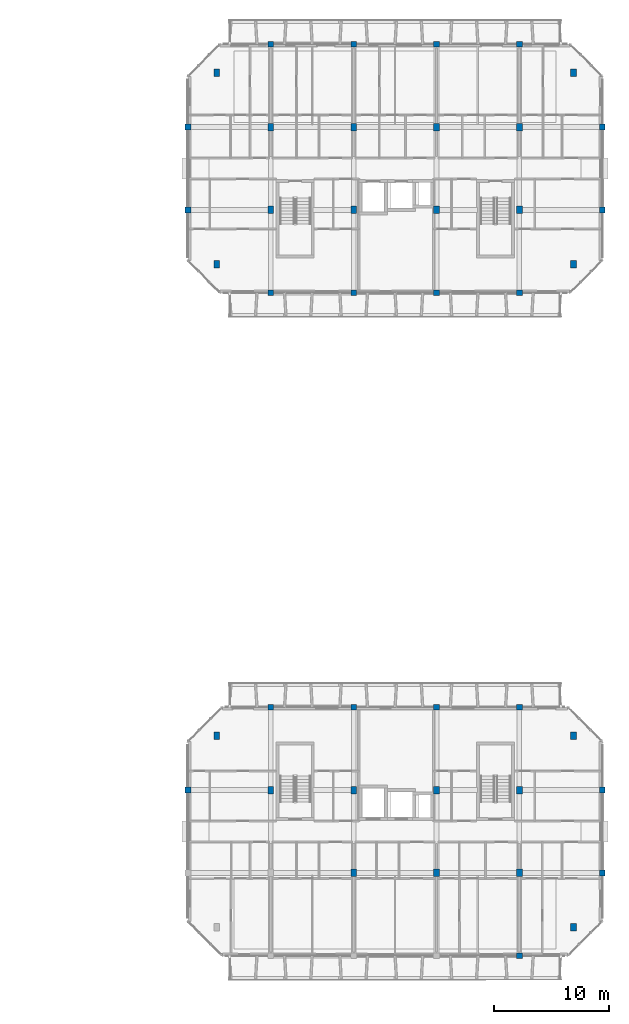
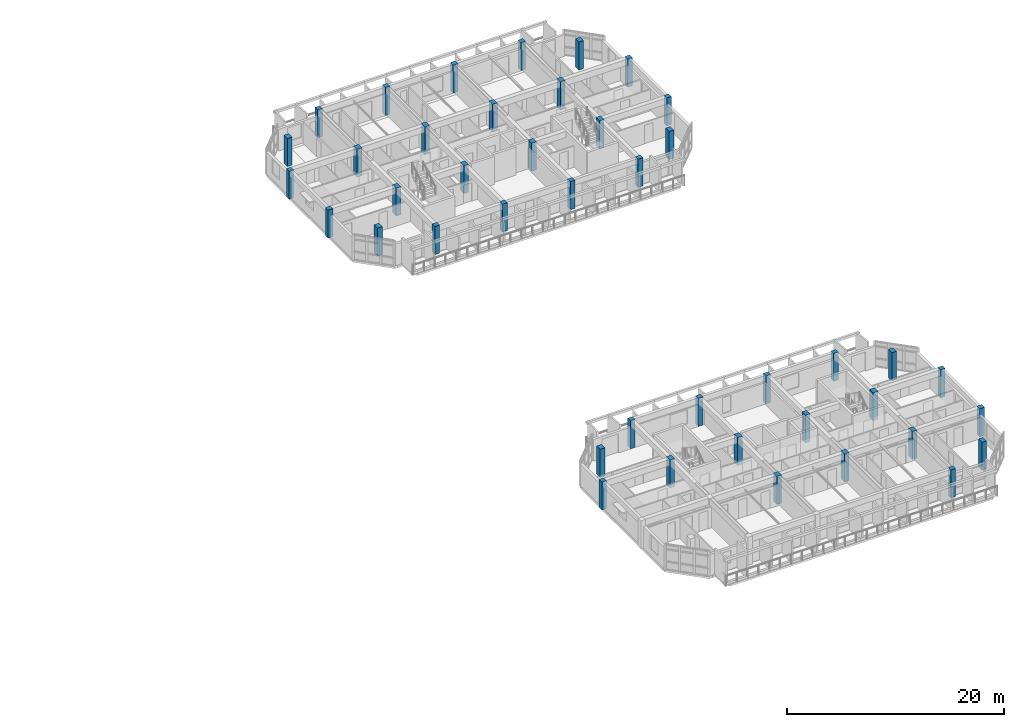
# One storey, part 2 of 46: 42 columns.
"""IFC4 building model written with IfcOpenShell, lengths in metres."""

import ifcopenshell
import ifcopenshell.guid

model = None  # the IFC model being written
_history = None  # IfcOwnerHistory: only IFC2X3 demands one
_inside = {}  # id of a spatial element -> (the spatial element, [elements in it])
_under = {}  # id of a project, library or spatial element -> (it, [spatial elements below it])
_declared = {}  # id of a project -> (the project, [libraries it declares])
_typed = {}  # id of a type object -> (the type object, [elements of that type])
_made_of = {}  # id of a material, layer set ... -> (it, [elements and type objects made of it])


def new_model(schema):
    """Start an empty IFC model of exactly this schema.

    Asked for "IFC4X3", IfcOpenShell would pick the latest addendum, in which some entities
    have other attributes; the version numbers below select the first issue.
    IFC2X3 requires an IfcOwnerHistory on every rooted entity: one is made here for all.
    """
    global model, _history
    if schema == "IFC4X3":
        model = ifcopenshell.file(schema_version=(4, 3, 0, 0))
    else:
        model = ifcopenshell.file(schema=schema)
    _inside.clear()
    _under.clear()
    _declared.clear()
    _typed.clear()
    _made_of.clear()
    _history = None
    if model.schema == "IFC2X3":
        org = make("IfcOrganization", Name="unknown")
        user = make(
            "IfcPersonAndOrganization",
            ThePerson=make("IfcPerson", FamilyName="unknown"),
            TheOrganization=org,
        )
        app = make(
            "IfcApplication",
            ApplicationDeveloper=org,
            Version="unknown",
            ApplicationFullName="unknown",
            ApplicationIdentifier="unknown",
        )
        _history = make(
            "IfcOwnerHistory",
            OwningUser=user,
            OwningApplication=app,
            ChangeAction="ADDED",
            CreationDate=0,
        )
    return model


def make(cls, **values):
    """One entity of the class cls with the attributes given. An attribute that is None is left unset."""
    return model.create_entity(
        cls, **{name: value for name, value in values.items() if value is not None}
    )


def rooted(cls, **values):
    """An entity with a GlobalId (a new one), such as an element, a storey or a relation."""
    return make(cls, GlobalId=ifcopenshell.guid.new(), OwnerHistory=_history, **values)


def si_unit(unit_type, name, prefix=None):
    """IfcSIUnit, for example si_unit("LENGTHUNIT", "METRE", prefix="MILLI")."""
    return make("IfcSIUnit", UnitType=unit_type, Prefix=prefix, Name=name)


def assignment(units):
    """IfcUnitAssignment: the units of a project."""
    return None if units is None else make("IfcUnitAssignment", Units=units)


def point(xyz):
    """IfcCartesianPoint."""
    return None if xyz is None else make("IfcCartesianPoint", Coordinates=xyz)


def direction(xyz):
    """IfcDirection."""
    return None if xyz is None else make("IfcDirection", DirectionRatios=xyz)


def frame(location, z_axis=None, x_axis=None):
    """IfcAxis2Placement3D, a coordinate frame: its origin and axes. An axis left out is left unset."""
    return make(
        "IfcAxis2Placement3D",
        Location=point(location),
        Axis=direction(z_axis),
        RefDirection=direction(x_axis),
    )


def frame_2d(location, x_axis=None):
    """IfcAxis2Placement2D, a coordinate frame in the plane: its origin and x axis."""
    return make(
        "IfcAxis2Placement2D", Location=point(location), RefDirection=direction(x_axis)
    )


def origin():
    """The frame at (0, 0, 0) with its axes left unset."""
    return frame((0.0, 0.0, 0.0))


def origin_2d():
    """The frame at (0, 0) in the plane with its x axis left unset."""
    return frame_2d((0.0, 0.0))


def place(relative_to, where):
    """IfcLocalPlacement: puts the frame where relative to a parent placement (None: the world)."""
    return make(
        "IfcLocalPlacement", PlacementRelTo=relative_to, RelativePlacement=where
    )


def context(
    kind, dimensions, precision=None, world=None, true_north=None, identifier=None
):
    """IfcGeometricRepresentationContext, for example the 3D "Model" context."""
    return make(
        "IfcGeometricRepresentationContext",
        ContextIdentifier=identifier,
        ContextType=kind,
        CoordinateSpaceDimension=dimensions,
        Precision=precision,
        WorldCoordinateSystem=world,
        TrueNorth=true_north,
    )


def subcontext(parent, identifier, kind, view, scale=None):
    """IfcGeometricRepresentationSubContext, for example "Body" below "Model"."""
    return make(
        "IfcGeometricRepresentationSubContext",
        ContextIdentifier=identifier,
        ContextType=kind,
        ParentContext=parent,
        TargetScale=scale,
        TargetView=view,
    )


def project(units=None, contexts=None):
    """IfcProject with its units and contexts."""
    return rooted(
        "IfcProject",
        Name="project",
        RepresentationContexts=contexts,
        UnitsInContext=assignment(units),
    )


def spatial(cls, under=None, at=None, **own):
    """A site, building, storey or space (cls), placed at a placement, below another one or the project."""
    s = rooted(cls, ObjectPlacement=at, **own)
    if under is not None:
        _under.setdefault(under.id(), (under, []))[1].append(s)
    return s


def profile(cls, at=None, kind="AREA", **sizes):
    """A parametric profile (cls). Its sizes go by their IFC names, for example OverallWidth=200.0."""
    return make(cls, ProfileType=kind, Position=at, **sizes)


def rectangle(**sizes):
    """IfcRectangleProfileDef."""
    return profile("IfcRectangleProfileDef", **sizes)


def extrude(swept, where, along, depth):
    """IfcExtrudedAreaSolid: the profile swept, set in the frame where, extruded along a direction by depth."""
    return make(
        "IfcExtrudedAreaSolid",
        SweptArea=swept,
        Position=where,
        ExtrudedDirection=direction(along),
        Depth=depth,
    )


def shape(context_of_items, identifier, shape_type, items):
    """IfcShapeRepresentation: the items that make up one representation, for example the "Body"."""
    return make(
        "IfcShapeRepresentation",
        ContextOfItems=context_of_items,
        RepresentationIdentifier=identifier,
        RepresentationType=shape_type,
        Items=items,
    )


def material(Name=None, Category=None):
    """IfcMaterial."""
    return make("IfcMaterial", Name=Name, Category=Category)


def material_profile(
    of_material, cross_section, Name=None, Category=None, Priority=None
):
    """IfcMaterialProfile: a cross section and its material."""
    return make(
        "IfcMaterialProfile",
        Name=Name,
        Material=of_material,
        Profile=cross_section,
        Priority=Priority,
        Category=Category,
    )


def profile_set(profiles, Name=None, composite=None):
    """IfcMaterialProfileSet."""
    return make(
        "IfcMaterialProfileSet",
        Name=Name,
        MaterialProfiles=profiles,
        CompositeProfile=composite,
    )


def made_of(thing, what):
    """Note that an element or type object is made of a material, layer set ...; save() writes the relation."""
    if what is not None:
        _made_of.setdefault(what.id(), (what, []))[1].append(thing)
    return thing


def type_object(cls, material=None, **own):
    """A type object (cls), such as IfcWallType, which elements share."""
    return made_of(rooted(cls, **own), material)


def element(
    cls,
    number,
    at=None,
    inside=None,
    cuts=None,
    type_object=None,
    material=None,
    context=None,
    identifier="Body",
    shape_type=None,
    held_by="IfcProductDefinitionShape",
    body=None,
    shapes=None,
    **own,
):
    """One element of the class cls, such as IfcWall. Its Tag is "e" and its number.

    at: its placement. inside: the storey or other place that contains it. cuts: it is an
    opening in that element (IfcRelVoidsElement). A single representation is given by context,
    identifier, shape_type and body (its items); several are given by shapes. held_by: the class
    of the entity that holds the representations. save() writes the other relations.
    """
    e = rooted(cls, Tag="e%d" % number, ObjectPlacement=at, **own)
    if body is not None:
        shapes = [shape(context, identifier, shape_type, body)]
    if shapes is not None:
        e.Representation = make(held_by, Representations=shapes)
    if inside is not None:
        _inside.setdefault(inside.id(), (inside, []))[1].append(e)
    if cuts is not None:
        rooted(
            "IfcRelVoidsElement", RelatingBuildingElement=cuts, RelatedOpeningElement=e
        )
    if type_object is not None:
        _typed.setdefault(type_object.id(), (type_object, []))[1].append(e)
    return made_of(e, material)


def aggregate(whole, parts):
    """IfcRelAggregates: a whole, such as a stair, and the parts it consists of."""
    return rooted("IfcRelAggregates", RelatingObject=whole, RelatedObjects=parts)


def save(model, path):
    """Write the relations noted so far, then the file.

    IfcRelAggregates (storeys below a building ...), IfcRelContainedInSpatialStructure (elements
    in a storey), IfcRelDefinesByType, IfcRelAssociatesMaterial and IfcRelDeclares: one each for
    every whole, place, type object, material and project.
    """
    for whole, parts in _under.values():
        aggregate(whole, parts)
    for where, things in _inside.values():
        rooted(
            "IfcRelContainedInSpatialStructure",
            RelatedElements=things,
            RelatingStructure=where,
        )
    for kind, things in _typed.values():
        rooted("IfcRelDefinesByType", RelatedObjects=things, RelatingType=kind)
    for what, things in _made_of.values():
        rooted("IfcRelAssociatesMaterial", RelatedObjects=things, RelatingMaterial=what)
    for by, libraries in _declared.values():
        rooted("IfcRelDeclares", RelatingContext=by, RelatedDefinitions=libraries)
    model.write(path)


model = new_model("IFC4")

# Units and contexts
model_context = context("Model", 3, precision=1e-05, world=origin(), true_north=direction((0.0, 1.0)))
body_context = subcontext(model_context, "Body", "Model", "MODEL_VIEW")
ifc_project = project(units=[si_unit("LENGTHUNIT", "METRE"), si_unit("AREAUNIT", "SQUARE_METRE"), si_unit("VOLUMEUNIT", "CUBIC_METRE"), si_unit("PLANEANGLEUNIT", "RADIAN"), si_unit("MASSUNIT", "GRAM", prefix="KILO")], contexts=[model_context])

# Site, building, storey
site_placement = place(None, origin())
site = spatial("IfcSite", under=ifc_project, at=site_placement, CompositionType="ELEMENT")
building_placement = place(site_placement, origin())
building = spatial("IfcBuilding", under=site, at=building_placement, Name="Ochrevale Crest", CompositionType="ELEMENT")
storey_placement = place(building_placement, frame((0.0, 0.0, 24.449951171875)))
storey = spatial("IfcBuildingStorey", under=building, at=storey_placement, Name="L07", CompositionType="ELEMENT", Elevation=24.449951171875)

# Columns
ifc_material = material(Name="Precast concrete C50/60", Category="concrete")
ifc_material_profile_1 = material_profile(ifc_material, rectangle(XDim=0.5, YDim=0.5, at=origin_2d()), Name="RC 500x500")
ifc_profile_set_1 = profile_set([ifc_material_profile_1], Name="Precast concrete C50/60")
column_type_1 = type_object("IfcColumnType", Name="COL-RC500x500", PredefinedType="COLUMN", material=ifc_profile_set_1)
for number, where, z_axis, x_axis, name in (
    (1, (129.60009765625, 28.800048828125, 0.0), (0.0, 0.0, 1.0), (1.0, 0.0, 0.0), "Block C L07 column (129.6,28.8)"),
    (2, (136.800048828125, 36.0, 0.0), (0.0, 0.0, 1.0), (1.0, 0.0, 0.0), "Block C L07 column (136.8,36.0)"),
    (3, (144.0, 36.0, 0.0), (0.0, 0.0, 1.0), (1.0, 0.0, 0.0), "Block C L07 column (144.0,36.0)"),
    (4, (151.199951171875, 36.0, 0.0), (0.0, 0.0, 1.0), (1.0, 0.0, 0.0), "Block C L07 column (151.2,36.0)"),
    (5, (158.39990234375, 14.39990234375, 0.0), (0.0, 0.0, 1.0), (1.0, 0.0, 0.0), "Block C L07 column (158.4,14.4)"),
    (6, (158.39990234375, 36.0, 0.0), (0.0, 0.0, 1.0), (1.0, 0.0, 0.0), "Block C L07 column (158.4,36.0)"),
    (7, (165.60009765625, 21.60009765625, 0.0), (0.0, 0.0, 1.0), (1.0, 0.0, 0.0), "Block C L07 column (165.6,21.6)"),
    (8, (165.60009765625, 28.800048828125, 0.0), (0.0, 0.0, 1.0), (1.0, 0.0, 0.0), "Block C L07 column (165.6,28.8)"),
    (9, (129.60009765625, 79.199951171875, 0.0), (0.0, 0.0, 1.0), (1.0, 0.0, 0.0), "Block D L07 column (129.6,79.2)"),
    (10, (129.60009765625, 86.39990234375, 0.0), (0.0, 0.0, 1.0), (1.0, 0.0, 0.0), "Block D L07 column (129.6,86.4)"),
    (11, (136.800048828125, 72.0, 0.0), (0.0, 0.0, 1.0), (1.0, 0.0, 0.0), "Block D L07 column (136.8,72.0)"),
    (12, (136.800048828125, 93.60009765625, 0.0), (0.0, 0.0, 1.0), (1.0, 0.0, 0.0), "Block D L07 column (136.8,93.6)"),
    (13, (144.0, 72.0, 0.0), (0.0, 0.0, 1.0), (1.0, 0.0, 0.0), "Block D L07 column (144.0,72.0)"),
    (14, (144.0, 93.60009765625, 0.0), (0.0, 0.0, 1.0), (1.0, 0.0, 0.0), "Block D L07 column (144.0,93.6)"),
    (15, (151.199951171875, 72.0, 0.0), (0.0, 0.0, 1.0), (1.0, 0.0, 0.0), "Block D L07 column (151.2,72.0)"),
    (16, (151.199951171875, 93.60009765625, 0.0), (0.0, 0.0, 1.0), (1.0, 0.0, 0.0), "Block D L07 column (151.2,93.6)"),
    (17, (158.39990234375, 72.0, 0.0), (0.0, 0.0, 1.0), (1.0, 0.0, 0.0), "Block D L07 column (158.4,72.0)"),
    (18, (158.39990234375, 93.60009765625, 0.0), (0.0, 0.0, 1.0), (1.0, 0.0, 0.0), "Block D L07 column (158.4,93.6)"),
    (19, (165.60009765625, 79.199951171875, 0.0), (0.0, 0.0, 1.0), (1.0, 0.0, 0.0), "Block D L07 column (165.6,79.2)"),
    (20, (165.60009765625, 86.39990234375, 0.0), (0.0, 0.0, 1.0), (1.0, 0.0, 0.0), "Block D L07 column (165.6,86.4)"),
):
    element("IfcColumn", number, at=place(storey_placement, frame(where, z_axis=z_axis, x_axis=x_axis)), inside=storey, type_object=column_type_1, Name=name, PredefinedType="COLUMN", context=body_context, shape_type="SweptSolid", body=[
        extrude(rectangle(XDim=0.5, YDim=0.5, at=origin_2d()), origin(), (0.0, 0.0, 1.0), 3.150146484375),
    ])
ifc_material_profile_2 = material_profile(ifc_material, rectangle(XDim=0.5, YDim=0.64990234375, at=origin_2d()), Name="RC 500x650")
ifc_profile_set_2 = profile_set([ifc_material_profile_2], Name="Precast concrete C50/60")
column_type_2 = type_object("IfcColumnType", Name="COL-RC500x650", PredefinedType="COLUMN", material=ifc_profile_set_2)
for number, where, z_axis, x_axis, name in (
    (21, (132.10009765625, 33.5, 0.0), (0.0, 0.0, 1.0), (1.0, 0.0, 0.0), "Block C L07 column (132.1,33.5)"),
    (22, (136.800048828125, 28.800048828125, 0.0), (0.0, 0.0, 1.0), (1.0, 0.0, 0.0), "Block C L07 column (136.8,28.8)"),
    (23, (144.0, 21.60009765625, 0.0), (0.0, 0.0, 1.0), (1.0, 0.0, 0.0), "Block C L07 column (144.0,21.6)"),
    (24, (144.0, 28.800048828125, 0.0), (0.0, 0.0, 1.0), (1.0, 0.0, 0.0), "Block C L07 column (144.0,28.8)"),
    (25, (151.199951171875, 21.60009765625, 0.0), (0.0, 0.0, 1.0), (1.0, 0.0, 0.0), "Block C L07 column (151.2,21.6)"),
    (26, (151.199951171875, 28.800048828125, 0.0), (0.0, 0.0, 1.0), (1.0, 0.0, 0.0), "Block C L07 column (151.2,28.8)"),
    (27, (158.39990234375, 21.60009765625, 0.0), (0.0, 0.0, 1.0), (1.0, 0.0, 0.0), "Block C L07 column (158.4,21.6)"),
    (28, (158.39990234375, 28.800048828125, 0.0), (0.0, 0.0, 1.0), (1.0, 0.0, 0.0), "Block C L07 column (158.4,28.8)"),
    (29, (163.10009765625, 16.89990234375, 0.0), (0.0, 0.0, 1.0), (1.0, 0.0, 0.0), "Block C L07 column (163.1,16.9)"),
    (30, (163.10009765625, 33.5, 0.0), (0.0, 0.0, 1.0), (1.0, 0.0, 0.0), "Block C L07 column (163.1,33.5)"),
    (31, (132.10009765625, 74.5, 0.0), (0.0, 0.0, 1.0), (1.0, 0.0, 0.0), "Block D L07 column (132.1,74.5)"),
    (32, (132.10009765625, 91.10009765625, 0.0), (0.0, 0.0, 1.0), (1.0, 0.0, 0.0), "Block D L07 column (132.1,91.1)"),
    (33, (136.800048828125, 79.199951171875, 0.0), (0.0, 0.0, 1.0), (1.0, 0.0, 0.0), "Block D L07 column (136.8,79.2)"),
    (34, (136.800048828125, 86.39990234375, 0.0), (0.0, 0.0, 1.0), (1.0, 0.0, 0.0), "Block D L07 column (136.8,86.4)"),
    (35, (144.0, 79.199951171875, 0.0), (0.0, 0.0, 1.0), (1.0, 0.0, 0.0), "Block D L07 column (144.0,79.2)"),
    (36, (144.0, 86.39990234375, 0.0), (0.0, 0.0, 1.0), (1.0, 0.0, 0.0), "Block D L07 column (144.0,86.4)"),
    (37, (151.199951171875, 79.199951171875, 0.0), (0.0, 0.0, 1.0), (1.0, 0.0, 0.0), "Block D L07 column (151.2,79.2)"),
    (38, (151.199951171875, 86.39990234375, 0.0), (0.0, 0.0, 1.0), (1.0, 0.0, 0.0), "Block D L07 column (151.2,86.4)"),
    (39, (158.39990234375, 79.199951171875, 0.0), (0.0, 0.0, 1.0), (1.0, 0.0, 0.0), "Block D L07 column (158.4,79.2)"),
    (40, (158.39990234375, 86.39990234375, 0.0), (0.0, 0.0, 1.0), (1.0, 0.0, 0.0), "Block D L07 column (158.4,86.4)"),
    (41, (163.10009765625, 74.5, 0.0), (0.0, 0.0, 1.0), (1.0, 0.0, 0.0), "Block D L07 column (163.1,74.5)"),
    (42, (163.10009765625, 91.10009765625, 0.0), (0.0, 0.0, 1.0), (1.0, 0.0, 0.0), "Block D L07 column (163.1,91.1)"),
):
    element("IfcColumn", number, at=place(storey_placement, frame(where, z_axis=z_axis, x_axis=x_axis)), inside=storey, type_object=column_type_2, Name=name, PredefinedType="COLUMN", context=body_context, shape_type="SweptSolid", body=[
        extrude(rectangle(XDim=0.5, YDim=0.64990234375, at=origin_2d()), origin(), (0.0, 0.0, 1.0), 3.150146484375),
    ])

save(model, "model.ifc")
